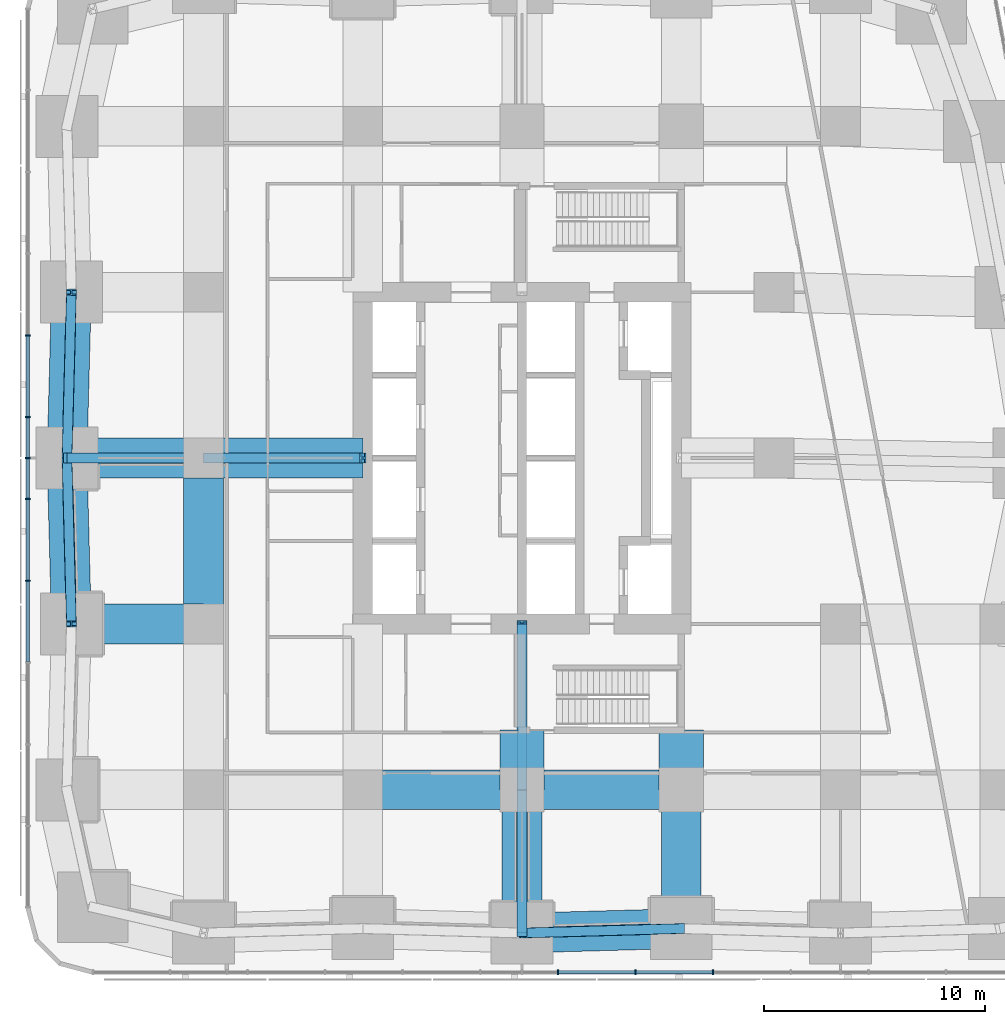
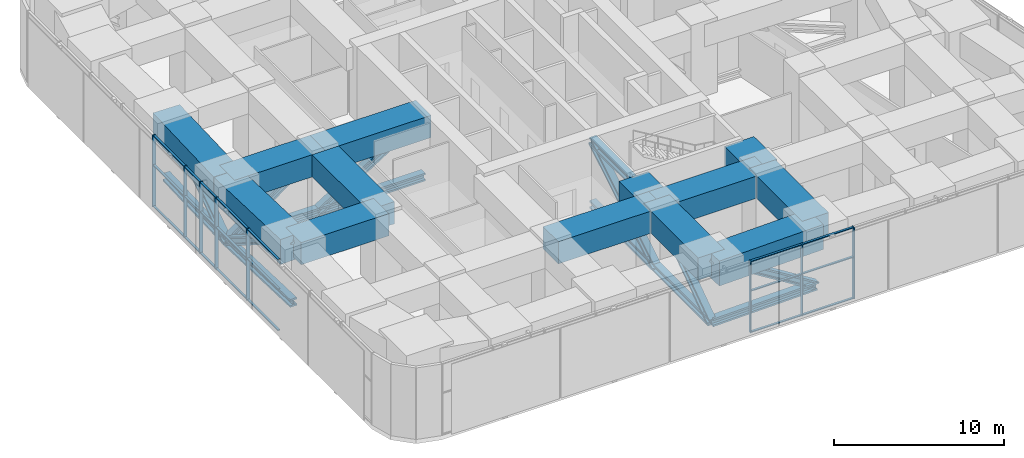
# One storey, part 3 of 20: 44 members, 13 beams, 2 elements without a shape of their own.
"""IFC4 building model written with IfcOpenShell, lengths in metres."""

from ifc_helpers import new_model, si_unit, direction, frame, origin, origin_2d, place, context, subcontext, project, spatial, rectangle, i_section, extrude, material, material_profile, profile_set, type_object, element, aggregate, save


model = new_model("IFC4")

# Units and contexts
model_context = context("Model", 3, precision=1e-05, world=origin(), true_north=direction((0.0, 1.0)))
body_context = subcontext(model_context, "Body", "Model", "MODEL_VIEW")
ifc_project = project(units=[si_unit("LENGTHUNIT", "METRE"), si_unit("AREAUNIT", "SQUARE_METRE"), si_unit("VOLUMEUNIT", "CUBIC_METRE"), si_unit("PLANEANGLEUNIT", "RADIAN"), si_unit("MASSUNIT", "GRAM", prefix="KILO")], contexts=[model_context])

# Site, building, storey
site_placement = place(None, origin())
site = spatial("IfcSite", under=ifc_project, at=site_placement, CompositionType="ELEMENT")
building_placement = place(site_placement, origin())
building = spatial("IfcBuilding", under=site, at=building_placement, Name="Sheger Commons Tower", CompositionType="ELEMENT")
storey_placement = place(building_placement, frame((0.0, 0.0, 72.5)))
storey = spatial("IfcBuildingStorey", under=building, at=storey_placement, Name="L18", CompositionType="ELEMENT", Elevation=72.5)

# Beams
ifc_material_1 = material(Name="Concrete C50/60", Category="concrete")
ifc_material_profile_1 = material_profile(ifc_material_1, rectangle(XDim=1.800048828125, YDim=1.60009765625, at=origin_2d()), Name="RC 1800x1600")
ifc_profile_set_1 = profile_set([ifc_material_profile_1], Name="Concrete C50/60")
beam_type_1 = type_object("IfcBeamType", Name="BEAM RC 1800x1600", PredefinedType="BEAM", material=ifc_profile_set_1)
beam_1_placement = place(storey_placement, frame((14.39990234375, 7.5, 4.35009765625), z_axis=(1.0, 0.0, 0.0), x_axis=(0.0, 1.0, 0.0)))
element("IfcBeam", 1, at=beam_1_placement, inside=storey, type_object=beam_type_1, Name="Beam 3/B-4/B under L19", PredefinedType="BEAM", context=body_context, shape_type="SweptSolid", body=[
    extrude(rectangle(XDim=1.800048828125, YDim=1.60009765625, at=origin_2d()), origin(), (0.0, 0.0, 1.0), 7.2001953125),
])
beam_2_placement = place(storey_placement, frame((21.60009765625, 7.5, 4.35009765625), z_axis=(1.0, 0.0, 0.0), x_axis=(0.0, 1.0, 0.0)))
element("IfcBeam", 2, at=beam_2_placement, inside=storey, type_object=beam_type_1, Name="Beam 4/B-5/B under L19", PredefinedType="BEAM", context=body_context, shape_type="SweptSolid", body=[
    extrude(rectangle(XDim=1.800048828125, YDim=1.60009765625, at=origin_2d()), origin(), (0.0, 0.0, 1.0), 7.199951171875),
])
beam_3_placement = place(storey_placement, frame((1.22509765625, 15.0, 4.35009765625), z_axis=(1.0, 0.0, 0.0), x_axis=(0.0, 1.0, 0.0)))
element("IfcBeam", 3, at=beam_3_placement, inside=storey, type_object=beam_type_1, Name="Beam 1/C-2/C under L19", PredefinedType="BEAM", context=body_context, shape_type="SweptSolid", body=[
    extrude(rectangle(XDim=1.800048828125, YDim=1.60009765625, at=origin_2d()), origin(), (0.0, 0.0, 1.0), 5.974853515625),
])
beam_4_placement = place(storey_placement, frame((1.02490234375, 22.5, 4.35009765625), z_axis=(1.0, 0.0, 0.0), x_axis=(0.0, 1.0, 0.0)))
element("IfcBeam", 4, at=beam_4_placement, inside=storey, type_object=beam_type_1, Name="Beam 1/D-2/D under L19", PredefinedType="BEAM", context=body_context, shape_type="SweptSolid", body=[
    extrude(rectangle(XDim=1.800048828125, YDim=1.60009765625, at=origin_2d()), origin(), (0.0, 0.0, 1.0), 6.175048828125),
])
beam_5_placement = place(storey_placement, frame((7.199951171875, 22.5, 4.35009765625), z_axis=(1.0, 0.0, 0.0), x_axis=(0.0, 1.0, 0.0)))
element("IfcBeam", 5, at=beam_5_placement, inside=storey, type_object=beam_type_1, Name="Beam 2/D-3/D under L19", PredefinedType="BEAM", context=body_context, shape_type="SweptSolid", body=[
    extrude(rectangle(XDim=1.800048828125, YDim=1.60009765625, at=origin_2d()), origin(), (0.0, 0.0, 1.0), 7.199951171875),
])
beam_6_placement = place(storey_placement, frame((7.199951171875, 15.0, 4.35009765625), z_axis=(0.0, 1.0, 0.0), x_axis=(-1.0, 0.0, 0.0)))
element("IfcBeam", 6, at=beam_6_placement, inside=storey, type_object=beam_type_1, Name="Beam 2/C-2/D under L19", PredefinedType="BEAM", context=body_context, shape_type="SweptSolid", body=[
    extrude(rectangle(XDim=1.800048828125, YDim=1.60009765625, at=origin_2d()), origin(), (0.0, 0.0, 1.0), 7.5),
])
beam_7_placement = place(storey_placement, frame((21.60009765625, 1.02490234375, 4.35009765625), z_axis=(0.0, 1.0, 0.0), x_axis=(-1.0, 0.0, 0.0)))
element("IfcBeam", 7, at=beam_7_placement, inside=storey, type_object=beam_type_1, Name="Beam 4/A-4/B under L19", PredefinedType="BEAM", context=body_context, shape_type="SweptSolid", body=[
    extrude(rectangle(XDim=1.800048828125, YDim=1.60009765625, at=origin_2d()), origin(), (0.0, 0.0, 1.0), 6.47509765625),
])
beam_8_placement = place(storey_placement, frame((28.800048828125, 1.22509765625, 4.35009765625), z_axis=(0.0, 1.0, 0.0), x_axis=(-1.0, 0.0, 0.0)))
element("IfcBeam", 8, at=beam_8_placement, inside=storey, type_object=beam_type_1, Name="Beam 5/A-5/B under L19", PredefinedType="BEAM", context=body_context, shape_type="SweptSolid", body=[
    extrude(rectangle(XDim=1.800048828125, YDim=1.60009765625, at=origin_2d()), origin(), (0.0, 0.0, 1.0), 6.27490234375),
])
ifc_material_2 = material(Name="Concrete C50/60", Category="concrete")
ifc_material_profile_2 = material_profile(ifc_material_2, rectangle(XDim=2.0, YDim=2.0, at=origin_2d()), Name="RC 2000x2000")
ifc_profile_set_2 = profile_set([ifc_material_profile_2], Name="Concrete C50/60")
beam_type_2 = type_object("IfcBeamType", Name="BEAM RC 2000x2000", PredefinedType="BEAM", material=ifc_profile_set_2)
for number, where, z_axis, x_axis, name in (
    (9, (21.60009765625, 7.5, 4.14990234375), (0.0, 1.0, 0.0), (-1.0, 0.0, 0.0), "Beam 4/B-21.600,10.200 under L19"),
    (10, (28.800048828125, 7.5, 4.14990234375), (0.0, 1.0, 0.0), (-1.0, 0.0, 0.0), "Beam 5/B-28.800,10.200 under L19"),
):
    element("IfcBeam", number, at=place(storey_placement, frame(where, z_axis=z_axis, x_axis=x_axis)), inside=storey, type_object=beam_type_2, Name=name, PredefinedType="BEAM", context=body_context, shape_type="SweptSolid", body=[
        extrude(rectangle(XDim=2.0, YDim=2.0, at=origin_2d()), origin(), (0.0, 0.0, 1.0), 2.699951171875),
    ])

# Members
ifc_material_3 = material(Name="Steel S460", Category="steel")
ifc_material_profile_3 = material_profile(ifc_material_3, i_section(OverallWidth=0.4541015625, OverallDepth=0.569091796875, WebThickness=0.077880859375, FlangeThickness=0.125, at=origin_2d()), Name="HD 400x1086")
ifc_profile_set_3 = profile_set([ifc_material_profile_3], Name="Steel S460")
member_type_1 = type_object("IfcMemberType", Name="BRACE HD 400x1086", PredefinedType="BRACE", material=ifc_profile_set_3)
member_1_placement = place(storey_placement, frame((21.60009765625, 15.0, 4.85009765625), z_axis=(0.0, -0.85496560345, -0.518684698942), x_axis=(1.0, 0.0, 0.0)))
element("IfcMember", 11, at=member_1_placement, inside=storey, type_object=member_type_1, Name="Outrigger S diagonal 1", PredefinedType="BRACE", context=body_context, shape_type="SweptSolid", body=[
    extrude(i_section(OverallWidth=0.4541015625, OverallDepth=0.569091796875, WebThickness=0.077880859375, FlangeThickness=0.125, at=origin_2d()), origin(), (0.0, 0.0, 1.0), 8.772216796875),
])
member_2_placement = place(storey_placement, frame((21.60009765625, 7.5, 4.85009765625), z_axis=(0.0, -0.818192873518, -0.574943842235), x_axis=(1.0, 0.0, 0.0)))
element("IfcMember", 12, at=member_2_placement, inside=storey, type_object=member_type_1, Name="Outrigger S diagonal 2", PredefinedType="BRACE", context=body_context, shape_type="SweptSolid", body=[
    extrude(i_section(OverallWidth=0.4541015625, OverallDepth=0.569091796875, WebThickness=0.077880859375, FlangeThickness=0.125, at=origin_2d()), origin(), (0.0, 0.0, 1.0), 7.913818359375),
])
member_3_placement = place(storey_placement, frame((14.39990234375, 22.5, 4.85009765625), z_axis=(-0.845345152514, 0.0, -0.534220528548), x_axis=(0.0, -1.0, 0.0)))
element("IfcMember", 13, at=member_3_placement, inside=storey, type_object=member_type_1, Name="Outrigger W diagonal 1", PredefinedType="BRACE", context=body_context, shape_type="SweptSolid", body=[
    extrude(i_section(OverallWidth=0.4541015625, OverallDepth=0.569091796875, WebThickness=0.077880859375, FlangeThickness=0.125, at=origin_2d()), origin(), (0.0, 0.0, 1.0), 8.51708984375),
])
member_4_placement = place(storey_placement, frame((7.199951171875, 22.5, 4.85009765625), z_axis=(-0.805055037338, 0.0, -0.593200123784), x_axis=(0.0, -1.0, 0.0)))
element("IfcMember", 14, at=member_4_placement, inside=storey, type_object=member_type_1, Name="Outrigger W diagonal 2", PredefinedType="BRACE", context=body_context, shape_type="SweptSolid", body=[
    extrude(i_section(OverallWidth=0.4541015625, OverallDepth=0.569091796875, WebThickness=0.077880859375, FlangeThickness=0.125, at=origin_2d()), origin(), (0.0, 0.0, 1.0), 7.67041015625),
])
ifc_material_4 = material(Name="Steel S460", Category="steel")
ifc_material_profile_4 = material_profile(ifc_material_4, i_section(OverallWidth=0.44189453125, OverallDepth=0.531005859375, WebThickness=0.06591796875, FlangeThickness=0.10595703125, at=origin_2d()), Name="HD 400x900")
ifc_profile_set_4 = profile_set([ifc_material_profile_4], Name="Steel S460")
member_type_2 = type_object("IfcMemberType", Name="BRACE HD 400x900", PredefinedType="BRACE", material=ifc_profile_set_4)
member_5_placement = place(storey_placement, frame((28.800048828125, 1.22509765625, 0.300048828125), z_axis=(-0.845111730935, -0.023498410341, 0.534073016494), x_axis=(0.027794350926, -0.9996136624, 0.0)))
element("IfcMember", 15, at=member_5_placement, inside=storey, type_object=member_type_2, Name="Belt truss diagonal 21.600,1.025-28.800,1.225", PredefinedType="BRACE", context=body_context, shape_type="SweptSolid", body=[
    extrude(i_section(OverallWidth=0.44189453125, OverallDepth=0.531005859375, WebThickness=0.06591796875, FlangeThickness=0.10595703125, at=origin_2d()), origin(), (0.0, 0.0, 1.0), 8.51953125),
])
for number, where, z_axis, x_axis, name in (
    (16, (1.02490234375, 22.5, 0.300048828125), (0.022815406971, 0.854743051392, 0.518549682578), (-0.999643939919, 0.026683204125, 0.0), "Belt truss diagonal 1+1225/E-1+1025/D"),
    (17, (1.02490234375, 22.5, 0.300048828125), (0.022815406971, -0.854743051392, 0.518549682578), (0.999643939919, 0.026683204125, 0.0), "Belt truss diagonal 1+1025/D-1+1225/C"),
):
    element("IfcMember", number, at=place(storey_placement, frame(where, z_axis=z_axis, x_axis=x_axis)), inside=storey, type_object=member_type_2, Name=name, PredefinedType="BRACE", context=body_context, shape_type="SweptSolid", body=[
        extrude(i_section(OverallWidth=0.44189453125, OverallDepth=0.531005859375, WebThickness=0.06591796875, FlangeThickness=0.10595703125, at=origin_2d()), origin(), (0.0, 0.0, 1.0), 8.774658203125),
    ])
ifc_material_5 = material(Name="Steel S460", Category="steel")
ifc_material_profile_5 = material_profile(ifc_material_5, i_section(OverallWidth=0.4541015625, OverallDepth=0.569091796875, WebThickness=0.077880859375, FlangeThickness=0.125, at=origin_2d()), Name="HD 400x1086")
ifc_profile_set_5 = profile_set([ifc_material_profile_5], Name="Steel S460")
member_type_3 = type_object("IfcMemberType", Name="CHORD HD 400x1086", PredefinedType="CHORD", material=ifc_profile_set_5)
member_6_placement = place(storey_placement, frame((21.60009765625, 1.02490234375, 0.300048828125), z_axis=(0.9996136624, 0.027794350926, 0.0), x_axis=(-0.027794350926, 0.9996136624, 0.0)))
element("IfcMember", 18, at=member_6_placement, inside=storey, type_object=member_type_3, Name="Belt truss bottom chord 21.600,1.025-28.800,1.225", PredefinedType="CHORD", context=body_context, shape_type="SweptSolid", body=[
    extrude(i_section(OverallWidth=0.4541015625, OverallDepth=0.569091796875, WebThickness=0.077880859375, FlangeThickness=0.125, at=origin_2d()), origin(), (0.0, 0.0, 1.0), 7.20263671875),
])
for number, where, z_axis, x_axis, name in (
    (19, (1.22509765625, 30.0, 0.300048828125), (-0.026683204125, -0.999643939919, 0.0), (0.999643939919, -0.026683204125, 0.0), "Belt truss bottom chord 1+1225/E-1+1025/D"),
    (20, (1.02490234375, 22.5, 0.300048828125), (0.026683204125, -0.999643939919, 0.0), (0.999643939919, 0.026683204125, 0.0), "Belt truss bottom chord 1+1025/D-1+1225/C"),
):
    element("IfcMember", number, at=place(storey_placement, frame(where, z_axis=z_axis, x_axis=x_axis)), inside=storey, type_object=member_type_3, Name=name, PredefinedType="CHORD", context=body_context, shape_type="SweptSolid", body=[
        extrude(i_section(OverallWidth=0.4541015625, OverallDepth=0.569091796875, WebThickness=0.077880859375, FlangeThickness=0.125, at=origin_2d()), origin(), (0.0, 0.0, 1.0), 7.502685546875),
    ])
for number, where, z_axis, x_axis, name in (
    (21, (21.60009765625, 15.0, 0.300048828125), (0.0, -1.0, 0.0), (1.0, 0.0, 0.0), "Outrigger S bottom chord 4/C-4/B"),
    (22, (21.60009765625, 15.0, 4.85009765625), (0.0, -1.0, 0.0), (1.0, 0.0, 0.0), "Outrigger S top chord 4/C-4/B"),
):
    element("IfcMember", number, at=place(storey_placement, frame(where, z_axis=z_axis, x_axis=x_axis)), inside=storey, type_object=member_type_3, Name=name, PredefinedType="CHORD", context=body_context, shape_type="SweptSolid", body=[
        extrude(i_section(OverallWidth=0.4541015625, OverallDepth=0.569091796875, WebThickness=0.077880859375, FlangeThickness=0.125, at=origin_2d()), origin(), (0.0, 0.0, 1.0), 7.5),
    ])
member_7_placement = place(storey_placement, frame((21.60009765625, 7.5, 0.300048828125), z_axis=(0.0, -1.0, 0.0), x_axis=(1.0, 0.0, 0.0)))
element("IfcMember", 23, at=member_7_placement, inside=storey, type_object=member_type_3, Name="Outrigger S bottom chord 4/B-21.600,1.025", PredefinedType="CHORD", context=body_context, shape_type="SweptSolid", body=[
    extrude(i_section(OverallWidth=0.4541015625, OverallDepth=0.569091796875, WebThickness=0.077880859375, FlangeThickness=0.125, at=origin_2d()), origin(), (0.0, 0.0, 1.0), 6.47509765625),
])
member_8_placement = place(storey_placement, frame((14.39990234375, 22.5, 0.300048828125), z_axis=(-1.0, 0.0, 0.0), x_axis=(0.0, -1.0, 0.0)))
element("IfcMember", 24, at=member_8_placement, inside=storey, type_object=member_type_3, Name="Outrigger W bottom chord 3/D-2/D", PredefinedType="CHORD", context=body_context, shape_type="SweptSolid", body=[
    extrude(i_section(OverallWidth=0.4541015625, OverallDepth=0.569091796875, WebThickness=0.077880859375, FlangeThickness=0.125, at=origin_2d()), origin(), (0.0, 0.0, 1.0), 7.199951171875),
])
member_9_placement = place(storey_placement, frame((7.199951171875, 22.5, 0.300048828125), z_axis=(-1.0, 0.0, 0.0), x_axis=(0.0, -1.0, 0.0)))
element("IfcMember", 25, at=member_9_placement, inside=storey, type_object=member_type_3, Name="Outrigger W bottom chord 2/D-1+1025/D", PredefinedType="CHORD", context=body_context, shape_type="SweptSolid", body=[
    extrude(i_section(OverallWidth=0.4541015625, OverallDepth=0.569091796875, WebThickness=0.077880859375, FlangeThickness=0.125, at=origin_2d()), origin(), (0.0, 0.0, 1.0), 6.175048828125),
])

# Curtain wall, members
ifc_material_6 = material(Name="Black aluminium curtain wall, dark tinted glazing", Category="aluminium")
curtain_wall_type = type_object("IfcCurtainWallType", Name="CURTAIN WALL CW3 SKY FLOOR", PredefinedType="USERDEFINED", material=ifc_material_6)
curtain_wall_1_placement = place(storey_placement, origin())
curtain_wall_1 = element("IfcCurtainWall", 26, at=curtain_wall_1_placement, inside=storey, type_object=curtain_wall_type, Name="Curtain Wall Cw3 Sky Floor S1 L18", ObjectType="UNITISED CURTAIN WALL", PredefinedType="USERDEFINED")
ifc_material_7 = material(Name="Black anodised aluminium", Category="aluminium")
ifc_material_profile_6 = material_profile(ifc_material_7, rectangle(XDim=0.22509765625, YDim=0.06494140625, at=origin_2d()), Name="AL 65x225")
ifc_profile_set_6 = profile_set([ifc_material_profile_6], Name="Black anodised aluminium")
member_type_4 = type_object("IfcMemberType", Name="MULLION AL 65x225", PredefinedType="MULLION", material=ifc_profile_set_6)
member_10_placement = place(storey_placement, frame((23.221923828125, -0.75, 0.0), z_axis=(0.0, 0.0, 1.0), x_axis=(0.0, 1.0, 0.0)))
member_10 = element("IfcMember", 27, at=member_10_placement, type_object=member_type_4, Name="CW3 mullion 9", PredefinedType="MULLION", context=body_context, shape_type="SweptSolid", body=[
    extrude(rectangle(XDim=0.22509765625, YDim=0.06494140625, at=origin_2d()), origin(), (0.0, 0.0, 1.0), 5.14990234375),
])
member_11_placement = place(storey_placement, frame((26.73193359375, -0.75, 0.0), z_axis=(0.0, 0.0, 1.0), x_axis=(0.0, 1.0, 0.0)))
member_11 = element("IfcMember", 28, at=member_11_placement, type_object=member_type_4, Name="CW3 mullion 10", PredefinedType="MULLION", context=body_context, shape_type="SweptSolid", body=[
    extrude(rectangle(XDim=0.22509765625, YDim=0.06494140625, at=origin_2d()), origin(), (0.0, 0.0, 1.0), 5.14990234375),
])
member_12_placement = place(storey_placement, frame((30.241943359375, -0.75, 0.0), z_axis=(0.0, 0.0, 1.0), x_axis=(0.0, 1.0, 0.0)))
member_12 = element("IfcMember", 29, at=member_12_placement, type_object=member_type_4, Name="CW3 mullion 11", PredefinedType="MULLION", context=body_context, shape_type="SweptSolid", body=[
    extrude(rectangle(XDim=0.22509765625, YDim=0.06494140625, at=origin_2d()), origin(), (0.0, 0.0, 1.0), 5.14990234375),
])

curtain_wall_2_placement = place(storey_placement, origin())
curtain_wall_2 = element("IfcCurtainWall", 30, at=curtain_wall_2_placement, inside=storey, type_object=curtain_wall_type, Name="Curtain Wall Cw3 Sky Floor W1 L18", ObjectType="UNITISED CURTAIN WALL", PredefinedType="USERDEFINED")
member_13_placement = place(storey_placement, frame((-0.75, 28.0458984375, 0.0), z_axis=(0.0, 0.0, 1.0), x_axis=(1.0, 0.0, 0.0)))
member_13 = element("IfcMember", 31, at=member_13_placement, type_object=member_type_4, Name="CW3 mullion 5", PredefinedType="MULLION", context=body_context, shape_type="SweptSolid", body=[
    extrude(rectangle(XDim=0.22509765625, YDim=0.06494140625, at=origin_2d()), origin(), (0.0, 0.0, 1.0), 5.14990234375),
])
member_14_placement = place(storey_placement, frame((-0.75, 24.34912109375, 0.0), z_axis=(0.0, 0.0, 1.0), x_axis=(1.0, 0.0, 0.0)))
member_14 = element("IfcMember", 32, at=member_14_placement, type_object=member_type_4, Name="CW3 mullion 6", PredefinedType="MULLION", context=body_context, shape_type="SweptSolid", body=[
    extrude(rectangle(XDim=0.22509765625, YDim=0.06494140625, at=origin_2d()), origin(), (0.0, 0.0, 1.0), 5.14990234375),
])
member_15_placement = place(storey_placement, frame((-0.75, 22.5, 0.0), z_axis=(0.0, 0.0, 1.0), x_axis=(1.0, 0.0, 0.0)))
member_15 = element("IfcMember", 33, at=member_15_placement, type_object=member_type_4, Name="CW3 mullion 7", PredefinedType="MULLION", context=body_context, shape_type="SweptSolid", body=[
    extrude(rectangle(XDim=0.22509765625, YDim=0.06494140625, at=origin_2d()), origin(), (0.0, 0.0, 1.0), 5.14990234375),
])
member_16_placement = place(storey_placement, frame((-0.75, 20.65087890625, 0.0), z_axis=(0.0, 0.0, 1.0), x_axis=(1.0, 0.0, 0.0)))
member_16 = element("IfcMember", 34, at=member_16_placement, type_object=member_type_4, Name="CW3 mullion 8", PredefinedType="MULLION", context=body_context, shape_type="SweptSolid", body=[
    extrude(rectangle(XDim=0.22509765625, YDim=0.06494140625, at=origin_2d()), origin(), (0.0, 0.0, 1.0), 5.14990234375),
])
member_17_placement = place(storey_placement, frame((-0.75, 16.9541015625, 0.0), z_axis=(0.0, 0.0, 1.0), x_axis=(1.0, 0.0, 0.0)))
member_17 = element("IfcMember", 35, at=member_17_placement, type_object=member_type_4, Name="CW3 mullion 9", PredefinedType="MULLION", context=body_context, shape_type="SweptSolid", body=[
    extrude(rectangle(XDim=0.22509765625, YDim=0.06494140625, at=origin_2d()), origin(), (0.0, 0.0, 1.0), 5.14990234375),
])

# Beams
ifc_material_8 = material(Name="Concrete C50/60", Category="concrete")
ifc_material_profile_7 = material_profile(ifc_material_8, rectangle(XDim=1.800048828125, YDim=1.800048828125, at=origin_2d()), Name="RC 1800x1800")
ifc_profile_set_7 = profile_set([ifc_material_profile_7], Name="Concrete C50/60")
beam_type_3 = type_object("IfcBeamType", Name="SPANDREL RC 1800x1800", PredefinedType="SPANDREL", material=ifc_profile_set_7)
beam_9_placement = place(storey_placement, frame((21.60009765625, 1.02490234375, 4.25), z_axis=(0.9996136624, 0.027794350926, 0.0), x_axis=(-0.027794350926, 0.9996136624, 0.0)))
element("IfcBeam", 36, at=beam_9_placement, inside=storey, type_object=beam_type_3, Name="Beam 4/A-5/A under L19", PredefinedType="SPANDREL", context=body_context, shape_type="SweptSolid", body=[
    extrude(rectangle(XDim=1.800048828125, YDim=1.800048828125, at=origin_2d()), origin(), (0.0, 0.0, 1.0), 7.20263671875),
])
for number, where, z_axis, x_axis, name in (
    (37, (1.22509765625, 30.0, 4.25), (-0.026683204125, -0.999643939919, 0.0), (0.999643939919, -0.026683204125, 0.0), "Beam 1/E-1/D under L19"),
    (38, (1.02490234375, 22.5, 4.25), (0.026683204125, -0.999643939919, 0.0), (0.999643939919, 0.026683204125, 0.0), "Beam 1/D-1/C under L19"),
):
    element("IfcBeam", number, at=place(storey_placement, frame(where, z_axis=z_axis, x_axis=x_axis)), inside=storey, type_object=beam_type_3, Name=name, PredefinedType="SPANDREL", context=body_context, shape_type="SweptSolid", body=[
        extrude(rectangle(XDim=1.800048828125, YDim=1.800048828125, at=origin_2d()), origin(), (0.0, 0.0, 1.0), 7.502685546875),
    ])

# Member
ifc_material_9 = material(Name="Black anodised aluminium", Category="aluminium")
ifc_material_profile_8 = material_profile(ifc_material_9, rectangle(XDim=0.14990234375, YDim=0.06494140625, at=origin_2d()), Name="AL 65x150")
ifc_profile_set_8 = profile_set([ifc_material_profile_8], Name="Black anodised aluminium")
member_type_5 = type_object("IfcMemberType", Name="TRANSOM AL 65x150", PredefinedType="USERDEFINED", material=ifc_profile_set_8)
member_18_placement = place(storey_placement, frame((23.25439453125, -0.75, 0.032470703125), z_axis=(1.0, 0.0, 0.0), x_axis=(0.0, 1.0, 0.0)))
member_18 = element("IfcMember", 39, at=member_18_placement, type_object=member_type_5, Name="CW3 transom 9.1", ObjectType="TRANSOM", PredefinedType="USERDEFINED", context=body_context, shape_type="SweptSolid", body=[
    extrude(rectangle(XDim=0.14990234375, YDim=0.06494140625, at=origin_2d()), origin(), (0.0, 0.0, 1.0), 3.445068359375),
])

member_19_placement = place(storey_placement, frame((23.25439453125, -0.75, 3.0), z_axis=(1.0, 0.0, 0.0), x_axis=(0.0, 1.0, 0.0)))
member_19 = element("IfcMember", 40, at=member_19_placement, type_object=member_type_5, Name="CW3 transom 9.2", ObjectType="TRANSOM", PredefinedType="USERDEFINED", context=body_context, shape_type="SweptSolid", body=[
    extrude(rectangle(XDim=0.14990234375, YDim=0.06494140625, at=origin_2d()), origin(), (0.0, 0.0, 1.0), 3.445068359375),
])

member_20_placement = place(storey_placement, frame((23.25439453125, -0.75, 5.117431640625), z_axis=(1.0, 0.0, 0.0), x_axis=(0.0, 1.0, 0.0)))
member_20 = element("IfcMember", 41, at=member_20_placement, type_object=member_type_5, Name="CW3 transom 9.3", ObjectType="TRANSOM", PredefinedType="USERDEFINED", context=body_context, shape_type="SweptSolid", body=[
    extrude(rectangle(XDim=0.14990234375, YDim=0.06494140625, at=origin_2d()), origin(), (0.0, 0.0, 1.0), 3.445068359375),
])

member_21_placement = place(storey_placement, frame((26.764404296875, -0.75, 0.032470703125), z_axis=(1.0, 0.0, 0.0), x_axis=(0.0, 1.0, 0.0)))
member_21 = element("IfcMember", 42, at=member_21_placement, type_object=member_type_5, Name="CW3 transom 10.1", ObjectType="TRANSOM", PredefinedType="USERDEFINED", context=body_context, shape_type="SweptSolid", body=[
    extrude(rectangle(XDim=0.14990234375, YDim=0.06494140625, at=origin_2d()), origin(), (0.0, 0.0, 1.0), 3.445068359375),
])

member_22_placement = place(storey_placement, frame((26.764404296875, -0.75, 3.0), z_axis=(1.0, 0.0, 0.0), x_axis=(0.0, 1.0, 0.0)))
member_22 = element("IfcMember", 43, at=member_22_placement, type_object=member_type_5, Name="CW3 transom 10.2", ObjectType="TRANSOM", PredefinedType="USERDEFINED", context=body_context, shape_type="SweptSolid", body=[
    extrude(rectangle(XDim=0.14990234375, YDim=0.06494140625, at=origin_2d()), origin(), (0.0, 0.0, 1.0), 3.445068359375),
])

member_23_placement = place(storey_placement, frame((26.764404296875, -0.75, 5.117431640625), z_axis=(1.0, 0.0, 0.0), x_axis=(0.0, 1.0, 0.0)))
member_23 = element("IfcMember", 44, at=member_23_placement, type_object=member_type_5, Name="CW3 transom 10.3", ObjectType="TRANSOM", PredefinedType="USERDEFINED", context=body_context, shape_type="SweptSolid", body=[
    extrude(rectangle(XDim=0.14990234375, YDim=0.06494140625, at=origin_2d()), origin(), (0.0, 0.0, 1.0), 3.445068359375),
])

aggregate(curtain_wall_1, [member_10, member_11, member_12, member_18, member_19, member_20, member_21, member_22, member_23])

member_24_placement = place(storey_placement, frame((-0.75, 28.013427734375, 0.032470703125), z_axis=(0.0, -1.0, 0.0), x_axis=(1.0, 0.0, 0.0)))
member_24 = element("IfcMember", 45, at=member_24_placement, type_object=member_type_5, Name="CW3 transom 5.1", ObjectType="TRANSOM", PredefinedType="USERDEFINED", context=body_context, shape_type="SweptSolid", body=[
    extrude(rectangle(XDim=0.14990234375, YDim=0.06494140625, at=origin_2d()), origin(), (0.0, 0.0, 1.0), 3.6318359375),
])

member_25_placement = place(storey_placement, frame((-0.75, 28.013427734375, 3.0), z_axis=(0.0, -1.0, 0.0), x_axis=(1.0, 0.0, 0.0)))
member_25 = element("IfcMember", 46, at=member_25_placement, type_object=member_type_5, Name="CW3 transom 5.2", ObjectType="TRANSOM", PredefinedType="USERDEFINED", context=body_context, shape_type="SweptSolid", body=[
    extrude(rectangle(XDim=0.14990234375, YDim=0.06494140625, at=origin_2d()), origin(), (0.0, 0.0, 1.0), 3.6318359375),
])

member_26_placement = place(storey_placement, frame((-0.75, 28.013427734375, 5.117431640625), z_axis=(0.0, -1.0, 0.0), x_axis=(1.0, 0.0, 0.0)))
member_26 = element("IfcMember", 47, at=member_26_placement, type_object=member_type_5, Name="CW3 transom 5.3", ObjectType="TRANSOM", PredefinedType="USERDEFINED", context=body_context, shape_type="SweptSolid", body=[
    extrude(rectangle(XDim=0.14990234375, YDim=0.06494140625, at=origin_2d()), origin(), (0.0, 0.0, 1.0), 3.6318359375),
])

member_27_placement = place(storey_placement, frame((-0.75, 24.31640625, 0.032470703125), z_axis=(0.0, -1.0, 0.0), x_axis=(1.0, 0.0, 0.0)))
member_27 = element("IfcMember", 48, at=member_27_placement, type_object=member_type_5, Name="CW3 transom 6.1", ObjectType="TRANSOM", PredefinedType="USERDEFINED", context=body_context, shape_type="SweptSolid", body=[
    extrude(rectangle(XDim=0.14990234375, YDim=0.06494140625, at=origin_2d()), origin(), (0.0, 0.0, 1.0), 1.783935546875),
])

member_28_placement = place(storey_placement, frame((-0.75, 24.31640625, 3.0), z_axis=(0.0, -1.0, 0.0), x_axis=(1.0, 0.0, 0.0)))
member_28 = element("IfcMember", 49, at=member_28_placement, type_object=member_type_5, Name="CW3 transom 6.2", ObjectType="TRANSOM", PredefinedType="USERDEFINED", context=body_context, shape_type="SweptSolid", body=[
    extrude(rectangle(XDim=0.14990234375, YDim=0.06494140625, at=origin_2d()), origin(), (0.0, 0.0, 1.0), 1.783935546875),
])

member_29_placement = place(storey_placement, frame((-0.75, 24.31640625, 5.117431640625), z_axis=(0.0, -1.0, 0.0), x_axis=(1.0, 0.0, 0.0)))
member_29 = element("IfcMember", 50, at=member_29_placement, type_object=member_type_5, Name="CW3 transom 6.3", ObjectType="TRANSOM", PredefinedType="USERDEFINED", context=body_context, shape_type="SweptSolid", body=[
    extrude(rectangle(XDim=0.14990234375, YDim=0.06494140625, at=origin_2d()), origin(), (0.0, 0.0, 1.0), 1.783935546875),
])

member_30_placement = place(storey_placement, frame((-0.75, 22.467529296875, 0.032470703125), z_axis=(0.0, -1.0, 0.0), x_axis=(1.0, 0.0, 0.0)))
member_30 = element("IfcMember", 51, at=member_30_placement, type_object=member_type_5, Name="CW3 transom 7.1", ObjectType="TRANSOM", PredefinedType="USERDEFINED", context=body_context, shape_type="SweptSolid", body=[
    extrude(rectangle(XDim=0.14990234375, YDim=0.06494140625, at=origin_2d()), origin(), (0.0, 0.0, 1.0), 1.783935546875),
])

member_31_placement = place(storey_placement, frame((-0.75, 22.467529296875, 3.0), z_axis=(0.0, -1.0, 0.0), x_axis=(1.0, 0.0, 0.0)))
member_31 = element("IfcMember", 52, at=member_31_placement, type_object=member_type_5, Name="CW3 transom 7.2", ObjectType="TRANSOM", PredefinedType="USERDEFINED", context=body_context, shape_type="SweptSolid", body=[
    extrude(rectangle(XDim=0.14990234375, YDim=0.06494140625, at=origin_2d()), origin(), (0.0, 0.0, 1.0), 1.783935546875),
])

member_32_placement = place(storey_placement, frame((-0.75, 22.467529296875, 5.117431640625), z_axis=(0.0, -1.0, 0.0), x_axis=(1.0, 0.0, 0.0)))
member_32 = element("IfcMember", 53, at=member_32_placement, type_object=member_type_5, Name="CW3 transom 7.3", ObjectType="TRANSOM", PredefinedType="USERDEFINED", context=body_context, shape_type="SweptSolid", body=[
    extrude(rectangle(XDim=0.14990234375, YDim=0.06494140625, at=origin_2d()), origin(), (0.0, 0.0, 1.0), 1.783935546875),
])

member_33_placement = place(storey_placement, frame((-0.75, 20.618408203125, 0.032470703125), z_axis=(0.0, -1.0, 0.0), x_axis=(1.0, 0.0, 0.0)))
member_33 = element("IfcMember", 54, at=member_33_placement, type_object=member_type_5, Name="CW3 transom 8.1", ObjectType="TRANSOM", PredefinedType="USERDEFINED", context=body_context, shape_type="SweptSolid", body=[
    extrude(rectangle(XDim=0.14990234375, YDim=0.06494140625, at=origin_2d()), origin(), (0.0, 0.0, 1.0), 3.6318359375),
])

member_34_placement = place(storey_placement, frame((-0.75, 20.618408203125, 3.0), z_axis=(0.0, -1.0, 0.0), x_axis=(1.0, 0.0, 0.0)))
member_34 = element("IfcMember", 55, at=member_34_placement, type_object=member_type_5, Name="CW3 transom 8.2", ObjectType="TRANSOM", PredefinedType="USERDEFINED", context=body_context, shape_type="SweptSolid", body=[
    extrude(rectangle(XDim=0.14990234375, YDim=0.06494140625, at=origin_2d()), origin(), (0.0, 0.0, 1.0), 3.6318359375),
])

member_35_placement = place(storey_placement, frame((-0.75, 20.618408203125, 5.117431640625), z_axis=(0.0, -1.0, 0.0), x_axis=(1.0, 0.0, 0.0)))
member_35 = element("IfcMember", 56, at=member_35_placement, type_object=member_type_5, Name="CW3 transom 8.3", ObjectType="TRANSOM", PredefinedType="USERDEFINED", context=body_context, shape_type="SweptSolid", body=[
    extrude(rectangle(XDim=0.14990234375, YDim=0.06494140625, at=origin_2d()), origin(), (0.0, 0.0, 1.0), 3.6318359375),
])

member_36_placement = place(storey_placement, frame((-0.75, 16.92138671875, 0.032470703125), z_axis=(0.0, -1.0, 0.0), x_axis=(1.0, 0.0, 0.0)))
member_36 = element("IfcMember", 57, at=member_36_placement, type_object=member_type_5, Name="CW3 transom 9.1", ObjectType="TRANSOM", PredefinedType="USERDEFINED", context=body_context, shape_type="SweptSolid", body=[
    extrude(rectangle(XDim=0.14990234375, YDim=0.06494140625, at=origin_2d()), origin(), (0.0, 0.0, 1.0), 3.6328125),
])

member_37_placement = place(storey_placement, frame((-0.75, 16.92138671875, 3.0), z_axis=(0.0, -1.0, 0.0), x_axis=(1.0, 0.0, 0.0)))
member_37 = element("IfcMember", 58, at=member_37_placement, type_object=member_type_5, Name="CW3 transom 9.2", ObjectType="TRANSOM", PredefinedType="USERDEFINED", context=body_context, shape_type="SweptSolid", body=[
    extrude(rectangle(XDim=0.14990234375, YDim=0.06494140625, at=origin_2d()), origin(), (0.0, 0.0, 1.0), 3.6328125),
])

member_38_placement = place(storey_placement, frame((-0.75, 16.92138671875, 5.117431640625), z_axis=(0.0, -1.0, 0.0), x_axis=(1.0, 0.0, 0.0)))
member_38 = element("IfcMember", 59, at=member_38_placement, type_object=member_type_5, Name="CW3 transom 9.3", ObjectType="TRANSOM", PredefinedType="USERDEFINED", context=body_context, shape_type="SweptSolid", body=[
    extrude(rectangle(XDim=0.14990234375, YDim=0.06494140625, at=origin_2d()), origin(), (0.0, 0.0, 1.0), 3.6328125),
])

aggregate(curtain_wall_2, [member_13, member_14, member_15, member_16, member_17, member_24, member_25, member_26, member_27, member_28, member_29, member_30, member_31, member_32, member_33, member_34, member_35, member_36, member_37, member_38])

save(model, "model.ifc")
